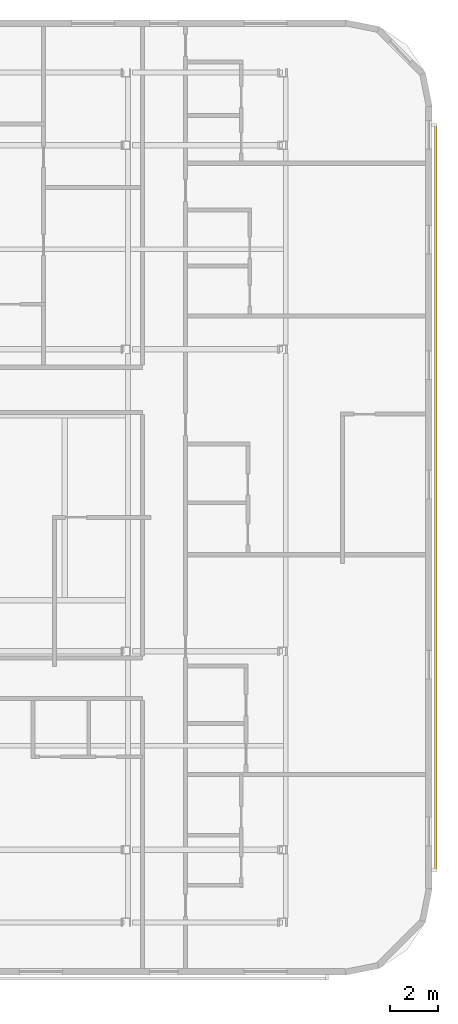
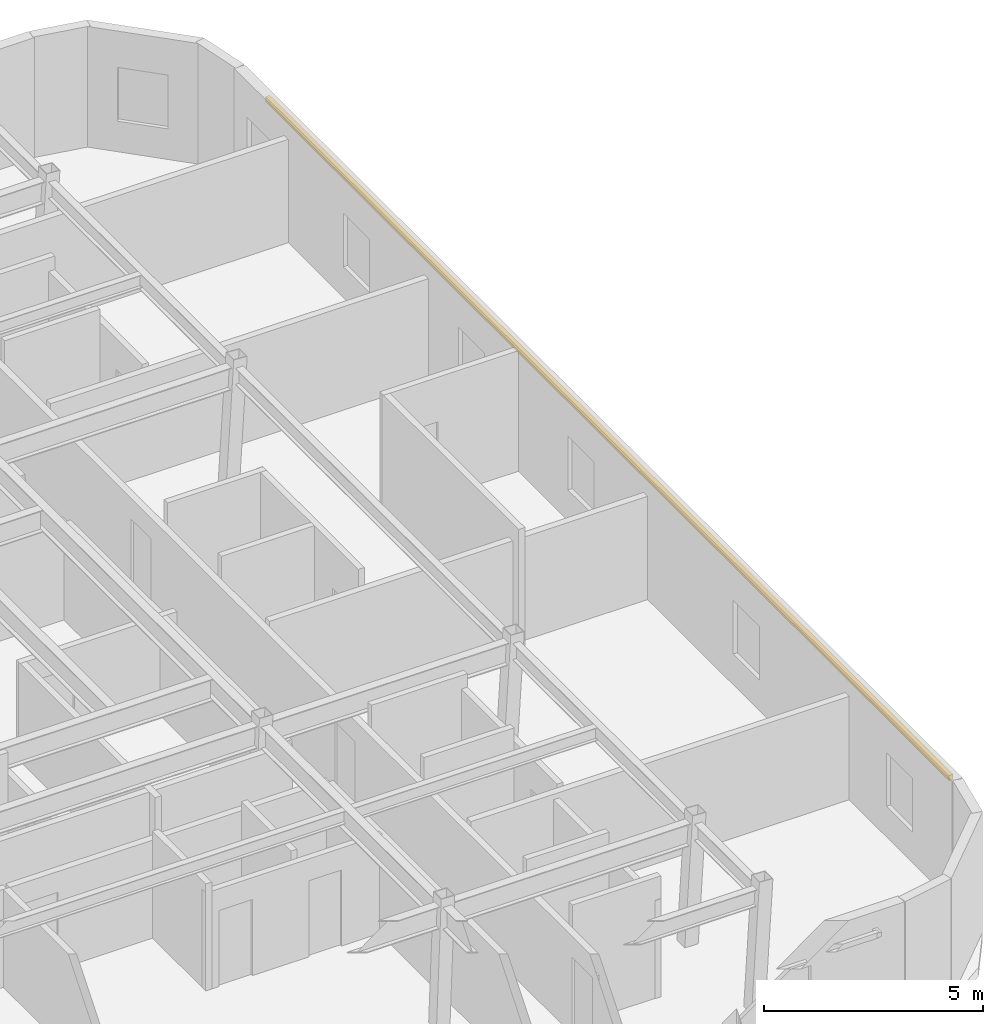
# One storey, part 10 of 10: 1 shading device.
"""IFC4 building model written with IfcOpenShell, lengths in metres."""

import ifcopenshell
import ifcopenshell.guid

model = None  # the IFC model being written
_history = None  # IfcOwnerHistory: only IFC2X3 demands one
_inside = {}  # id of a spatial element -> (the spatial element, [elements in it])
_under = {}  # id of a project, library or spatial element -> (it, [spatial elements below it])
_declared = {}  # id of a project -> (the project, [libraries it declares])
_typed = {}  # id of a type object -> (the type object, [elements of that type])
_made_of = {}  # id of a material, layer set ... -> (it, [elements and type objects made of it])


def new_model(schema):
    """Start an empty IFC model of exactly this schema.

    Asked for "IFC4X3", IfcOpenShell would pick the latest addendum, in which some entities
    have other attributes; the version numbers below select the first issue.
    IFC2X3 requires an IfcOwnerHistory on every rooted entity: one is made here for all.
    """
    global model, _history
    if schema == "IFC4X3":
        model = ifcopenshell.file(schema_version=(4, 3, 0, 0))
    else:
        model = ifcopenshell.file(schema=schema)
    _inside.clear()
    _under.clear()
    _declared.clear()
    _typed.clear()
    _made_of.clear()
    _history = None
    if model.schema == "IFC2X3":
        org = make("IfcOrganization", Name="unknown")
        user = make(
            "IfcPersonAndOrganization",
            ThePerson=make("IfcPerson", FamilyName="unknown"),
            TheOrganization=org,
        )
        app = make(
            "IfcApplication",
            ApplicationDeveloper=org,
            Version="unknown",
            ApplicationFullName="unknown",
            ApplicationIdentifier="unknown",
        )
        _history = make(
            "IfcOwnerHistory",
            OwningUser=user,
            OwningApplication=app,
            ChangeAction="ADDED",
            CreationDate=0,
        )
    return model


def make(cls, **values):
    """One entity of the class cls with the attributes given. An attribute that is None is left unset."""
    return model.create_entity(
        cls, **{name: value for name, value in values.items() if value is not None}
    )


def rooted(cls, **values):
    """An entity with a GlobalId (a new one), such as an element, a storey or a relation."""
    return make(cls, GlobalId=ifcopenshell.guid.new(), OwnerHistory=_history, **values)


def si_unit(unit_type, name, prefix=None):
    """IfcSIUnit, for example si_unit("LENGTHUNIT", "METRE", prefix="MILLI")."""
    return make("IfcSIUnit", UnitType=unit_type, Prefix=prefix, Name=name)


def assignment(units):
    """IfcUnitAssignment: the units of a project."""
    return None if units is None else make("IfcUnitAssignment", Units=units)


def point(xyz):
    """IfcCartesianPoint."""
    return None if xyz is None else make("IfcCartesianPoint", Coordinates=xyz)


def direction(xyz):
    """IfcDirection."""
    return None if xyz is None else make("IfcDirection", DirectionRatios=xyz)


def frame(location, z_axis=None, x_axis=None):
    """IfcAxis2Placement3D, a coordinate frame: its origin and axes. An axis left out is left unset."""
    return make(
        "IfcAxis2Placement3D",
        Location=point(location),
        Axis=direction(z_axis),
        RefDirection=direction(x_axis),
    )


def frame_2d(location, x_axis=None):
    """IfcAxis2Placement2D, a coordinate frame in the plane: its origin and x axis."""
    return make(
        "IfcAxis2Placement2D", Location=point(location), RefDirection=direction(x_axis)
    )


def origin():
    """The frame at (0, 0, 0) with its axes left unset."""
    return frame((0.0, 0.0, 0.0))


def origin_2d():
    """The frame at (0, 0) in the plane with its x axis left unset."""
    return frame_2d((0.0, 0.0))


def place(relative_to, where):
    """IfcLocalPlacement: puts the frame where relative to a parent placement (None: the world)."""
    return make(
        "IfcLocalPlacement", PlacementRelTo=relative_to, RelativePlacement=where
    )


def context(
    kind, dimensions, precision=None, world=None, true_north=None, identifier=None
):
    """IfcGeometricRepresentationContext, for example the 3D "Model" context."""
    return make(
        "IfcGeometricRepresentationContext",
        ContextIdentifier=identifier,
        ContextType=kind,
        CoordinateSpaceDimension=dimensions,
        Precision=precision,
        WorldCoordinateSystem=world,
        TrueNorth=true_north,
    )


def subcontext(parent, identifier, kind, view, scale=None):
    """IfcGeometricRepresentationSubContext, for example "Body" below "Model"."""
    return make(
        "IfcGeometricRepresentationSubContext",
        ContextIdentifier=identifier,
        ContextType=kind,
        ParentContext=parent,
        TargetScale=scale,
        TargetView=view,
    )


def project(units=None, contexts=None):
    """IfcProject with its units and contexts."""
    return rooted(
        "IfcProject",
        Name="project",
        RepresentationContexts=contexts,
        UnitsInContext=assignment(units),
    )


def spatial(cls, under=None, at=None, **own):
    """A site, building, storey or space (cls), placed at a placement, below another one or the project."""
    s = rooted(cls, ObjectPlacement=at, **own)
    if under is not None:
        _under.setdefault(under.id(), (under, []))[1].append(s)
    return s


def profile(cls, at=None, kind="AREA", **sizes):
    """A parametric profile (cls). Its sizes go by their IFC names, for example OverallWidth=200.0."""
    return make(cls, ProfileType=kind, Position=at, **sizes)


def rectangle(**sizes):
    """IfcRectangleProfileDef."""
    return profile("IfcRectangleProfileDef", **sizes)


def extrude(swept, where, along, depth):
    """IfcExtrudedAreaSolid: the profile swept, set in the frame where, extruded along a direction by depth."""
    return make(
        "IfcExtrudedAreaSolid",
        SweptArea=swept,
        Position=where,
        ExtrudedDirection=direction(along),
        Depth=depth,
    )


def shape(context_of_items, identifier, shape_type, items):
    """IfcShapeRepresentation: the items that make up one representation, for example the "Body"."""
    return make(
        "IfcShapeRepresentation",
        ContextOfItems=context_of_items,
        RepresentationIdentifier=identifier,
        RepresentationType=shape_type,
        Items=items,
    )


def material(Name=None, Category=None):
    """IfcMaterial."""
    return make("IfcMaterial", Name=Name, Category=Category)


def material_profile(
    of_material, cross_section, Name=None, Category=None, Priority=None
):
    """IfcMaterialProfile: a cross section and its material."""
    return make(
        "IfcMaterialProfile",
        Name=Name,
        Material=of_material,
        Profile=cross_section,
        Priority=Priority,
        Category=Category,
    )


def profile_set(profiles, Name=None, composite=None):
    """IfcMaterialProfileSet."""
    return make(
        "IfcMaterialProfileSet",
        Name=Name,
        MaterialProfiles=profiles,
        CompositeProfile=composite,
    )


def made_of(thing, what):
    """Note that an element or type object is made of a material, layer set ...; save() writes the relation."""
    if what is not None:
        _made_of.setdefault(what.id(), (what, []))[1].append(thing)
    return thing


def type_object(cls, material=None, **own):
    """A type object (cls), such as IfcWallType, which elements share."""
    return made_of(rooted(cls, **own), material)


def element(
    cls,
    number,
    at=None,
    inside=None,
    cuts=None,
    type_object=None,
    material=None,
    context=None,
    identifier="Body",
    shape_type=None,
    held_by="IfcProductDefinitionShape",
    body=None,
    shapes=None,
    **own,
):
    """One element of the class cls, such as IfcWall. Its Tag is "e" and its number.

    at: its placement. inside: the storey or other place that contains it. cuts: it is an
    opening in that element (IfcRelVoidsElement). A single representation is given by context,
    identifier, shape_type and body (its items); several are given by shapes. held_by: the class
    of the entity that holds the representations. save() writes the other relations.
    """
    e = rooted(cls, Tag="e%d" % number, ObjectPlacement=at, **own)
    if body is not None:
        shapes = [shape(context, identifier, shape_type, body)]
    if shapes is not None:
        e.Representation = make(held_by, Representations=shapes)
    if inside is not None:
        _inside.setdefault(inside.id(), (inside, []))[1].append(e)
    if cuts is not None:
        rooted(
            "IfcRelVoidsElement", RelatingBuildingElement=cuts, RelatedOpeningElement=e
        )
    if type_object is not None:
        _typed.setdefault(type_object.id(), (type_object, []))[1].append(e)
    return made_of(e, material)


def aggregate(whole, parts):
    """IfcRelAggregates: a whole, such as a stair, and the parts it consists of."""
    return rooted("IfcRelAggregates", RelatingObject=whole, RelatedObjects=parts)


def save(model, path):
    """Write the relations noted so far, then the file.

    IfcRelAggregates (storeys below a building ...), IfcRelContainedInSpatialStructure (elements
    in a storey), IfcRelDefinesByType, IfcRelAssociatesMaterial and IfcRelDeclares: one each for
    every whole, place, type object, material and project.
    """
    for whole, parts in _under.values():
        aggregate(whole, parts)
    for where, things in _inside.values():
        rooted(
            "IfcRelContainedInSpatialStructure",
            RelatedElements=things,
            RelatingStructure=where,
        )
    for kind, things in _typed.values():
        rooted("IfcRelDefinesByType", RelatedObjects=things, RelatingType=kind)
    for what, things in _made_of.values():
        rooted("IfcRelAssociatesMaterial", RelatedObjects=things, RelatingMaterial=what)
    for by, libraries in _declared.values():
        rooted("IfcRelDeclares", RelatingContext=by, RelatedDefinitions=libraries)
    model.write(path)


model = new_model("IFC4")

# Units and contexts
model_context = context("Model", 3, precision=1e-05, world=origin(), true_north=direction((0.0, 1.0)))
body_context = subcontext(model_context, "Body", "Model", "MODEL_VIEW")
ifc_project = project(units=[si_unit("LENGTHUNIT", "METRE"), si_unit("AREAUNIT", "SQUARE_METRE"), si_unit("VOLUMEUNIT", "CUBIC_METRE"), si_unit("PLANEANGLEUNIT", "RADIAN"), si_unit("MASSUNIT", "GRAM", prefix="KILO")], contexts=[model_context])

# Site, building, storey
site_placement = place(None, origin())
site = spatial("IfcSite", under=ifc_project, at=site_placement, CompositionType="ELEMENT")
building_placement = place(site_placement, origin())
building = spatial("IfcBuilding", under=site, at=building_placement, Name="Ochreholt Gables", CompositionType="ELEMENT")
storey_placement = place(building_placement, frame((0.0, 0.0, 166.199951171875)))
storey = spatial("IfcBuildingStorey", under=building, at=storey_placement, Name="L43", CompositionType="ELEMENT", Elevation=166.199951171875)

# Shading device
ifc_material = material(Name="Warm Ochre Glazed Terracotta Baguette", Category="masonry")
ifc_material_profile = material_profile(ifc_material, rectangle(XDim=0.110107421875, YDim=0.14990234375, at=origin_2d()), Name="TCBAG110X150")
ifc_profile_set = profile_set([ifc_material_profile], Name="Warm Ochre Glazed Terracotta Baguette")
shading_device_type = type_object("IfcShadingDeviceType", Name="SHD-BAGUETTE", PredefinedType="USERDEFINED", material=ifc_profile_set)
shading_device_placement = place(storey_placement, frame((58.75, 8.39990234375, 2.840087890625), z_axis=(0.0, 1.0, 0.0), x_axis=(-1.0, 0.0, 0.0)))
element("IfcShadingDevice", 1, at=shading_device_placement, inside=storey, type_object=shading_device_type, Name="L43 Terracotta Baguette Screen E-1", ObjectType="BAGUETTE", PredefinedType="USERDEFINED", context=body_context, shape_type="SweptSolid", body=[
    extrude(rectangle(XDim=0.110107421875, YDim=0.14990234375, at=origin_2d()), origin(), (0.0, 0.0, 1.0), 31.2001953125),
])

save(model, "model.ifc")
